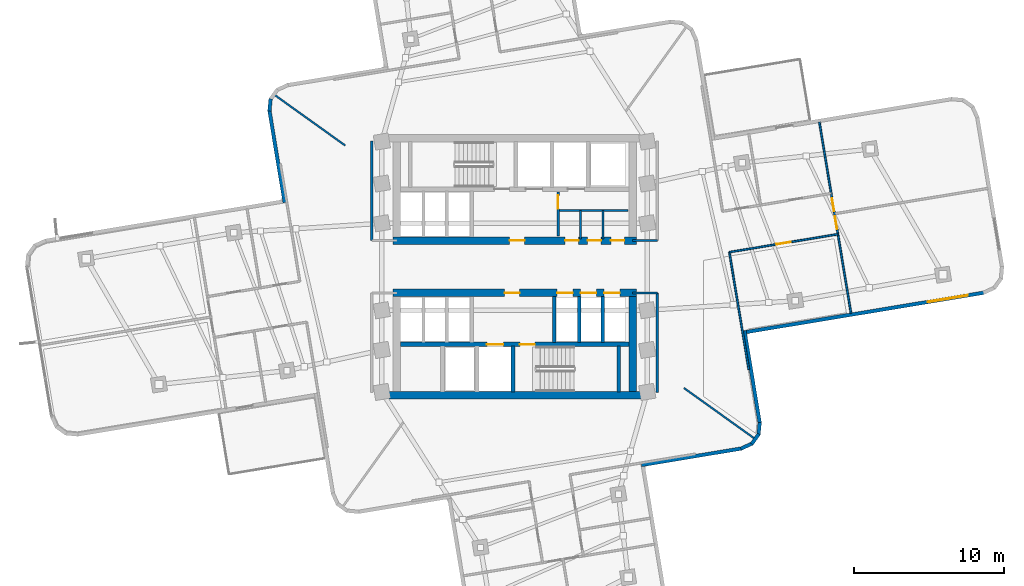
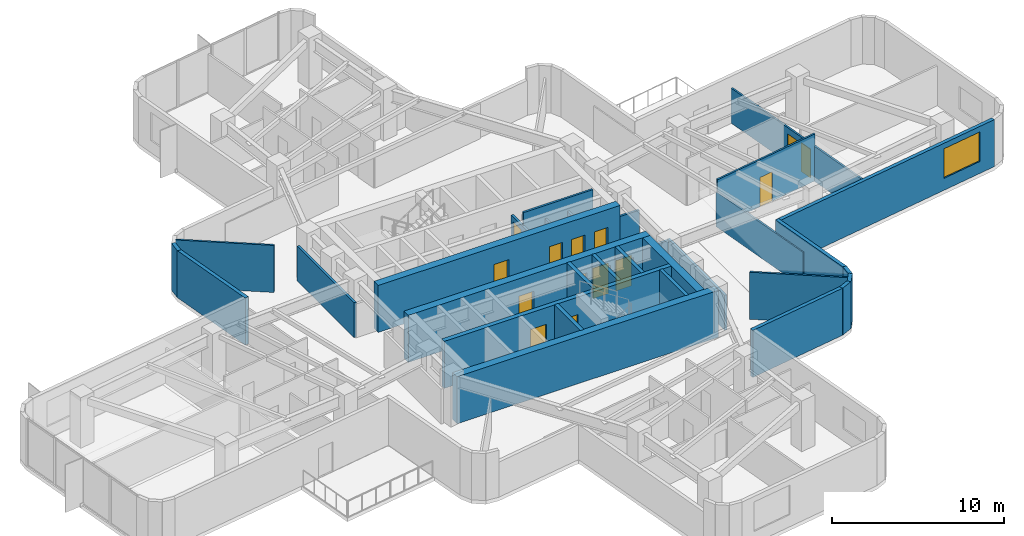
# One storey, part 8 of 13: 31 walls, 14 doors, 1 window, 15 openings.
"""IFC4 building model written with IfcOpenShell, lengths in metres."""

from ifc_helpers import new_model, si_unit, direction, frame, frame_2d, origin, place, context, subcontext, project, spatial, rectangle, extrude, material, layer, layer_set, type_object, element, fill, save


model = new_model("IFC4")

# Units and contexts
model_context = context("Model", 3, precision=1e-05, world=origin(), true_north=direction((0.0, 1.0)))
body_context = subcontext(model_context, "Body", "Model", "MODEL_VIEW")
ifc_project = project(units=[si_unit("LENGTHUNIT", "METRE"), si_unit("AREAUNIT", "SQUARE_METRE"), si_unit("VOLUMEUNIT", "CUBIC_METRE"), si_unit("PLANEANGLEUNIT", "RADIAN"), si_unit("MASSUNIT", "GRAM", prefix="KILO")], contexts=[model_context])

# Site, building, storey
site_placement = place(None, origin())
site = spatial("IfcSite", under=ifc_project, at=site_placement, CompositionType="ELEMENT")
building_placement = place(site_placement, origin())
building = spatial("IfcBuilding", under=site, at=building_placement, Name="Solmarez Civic Tower", CompositionType="ELEMENT")
storey_placement = place(building_placement, frame((0.0, 0.0, 96.47998046875)))
storey = spatial("IfcBuildingStorey", under=building, at=storey_placement, Name="L25", CompositionType="ELEMENT", Elevation=96.47998046875)

# Wall, openings, doors
ifc_material_1 = material(Name="Concrete C60/75", Category="concrete")
ifc_layer_1 = layer(ifc_material_1, 0.5)
ifc_layer_set_1 = layer_set([ifc_layer_1], Name="Concrete C60/75")
wall_type_1 = type_object("IfcWallType", Name="WALL-CORE-500", PredefinedType="SHEAR", material=ifc_layer_set_1)
wall_1_placement = place(storey_placement, frame((8.1201171875, 1.75, 0.0), z_axis=(0.0, 0.0, 1.0), x_axis=(-1.0, 0.0, 0.0)))
wall_1 = element("IfcWall", 1, at=wall_1_placement, inside=storey, type_object=wall_type_1, Name="L25 Split-Core Structural Wall NCW-S-L25", PredefinedType="SHEAR", context=body_context, shape_type="SweptSolid", body=[
    extrude(rectangle(XDim=16.240234375, YDim=0.5, at=frame_2d((8.1201171875, 0.0))), origin(), (0.0, 0.0, 1.0), 3.340087890625),
])
opening_1_placement = place(wall_1_placement, frame((7.449951171875, 0.0, 0.0)))
opening_1 = element("IfcOpeningElement", 2, at=opening_1_placement, cuts=wall_1, Name="Opening D-04", PredefinedType="OPENING", context=body_context, shape_type="SweptSolid", body=[
    extrude(rectangle(XDim=1.0, YDim=2.10009765625, at=frame_2d((0.5, 1.050048828125))), frame((0.0, 0.260009765625, 0.0), z_axis=(0.0, -1.0, 0.0), x_axis=(1.0, 0.0, 0.0)), (0.0, 0.0, 1.0), 0.52001953125),
])
opening_2_placement = place(wall_1_placement, frame((3.85009765625, 0.0, 0.0)))
opening_2 = element("IfcOpeningElement", 3, at=opening_2_placement, cuts=wall_1, Name="Opening D-09", PredefinedType="OPENING", context=body_context, shape_type="SweptSolid", body=[
    extrude(rectangle(XDim=0.89990234375, YDim=2.06005859375, at=frame_2d((0.449951171875, 1.030029296875))), frame((0.0, 0.260009765625, 0.0), z_axis=(0.0, -1.0, 0.0), x_axis=(1.0, 0.0, 0.0)), (0.0, 0.0, 1.0), 0.52001953125),
])
opening_3_placement = place(wall_1_placement, frame((2.35009765625, 0.0, 0.0)))
opening_3 = element("IfcOpeningElement", 4, at=opening_3_placement, cuts=wall_1, Name="Opening D-09", PredefinedType="OPENING", context=body_context, shape_type="SweptSolid", body=[
    extrude(rectangle(XDim=0.89990234375, YDim=2.06005859375, at=frame_2d((0.449951171875, 1.030029296875))), frame((0.0, 0.260009765625, 0.0), z_axis=(0.0, -1.0, 0.0), x_axis=(1.0, 0.0, 0.0)), (0.0, 0.0, 1.0), 0.52001953125),
])
opening_4_placement = place(wall_1_placement, frame((0.800048828125, 0.0, 0.0)))
opening_4 = element("IfcOpeningElement", 5, at=opening_4_placement, cuts=wall_1, Name="Opening D-09", PredefinedType="OPENING", context=body_context, shape_type="SweptSolid", body=[
    extrude(rectangle(XDim=0.89990234375, YDim=2.06005859375, at=frame_2d((0.449951171875, 1.030029296875))), frame((0.0, 0.260009765625, 0.0), z_axis=(0.0, -1.0, 0.0), x_axis=(1.0, 0.0, 0.0)), (0.0, 0.0, 1.0), 0.52001953125),
])
ifc_material_2 = material(Name="Steel-Faced Acoustic Fire Door", Category="steel")
door_type_1 = type_object("IfcDoorType", Name="DOOR-FD60-1000", OperationType="NOTDEFINED", PredefinedType="DOOR", material=ifc_material_2)
door_1_placement = place(opening_1_placement, origin())
door_1 = element("IfcDoor", 6, at=door_1_placement, inside=storey, type_object=door_type_1, Name="L25 North Firefighting Lobby Door", OperationType="SINGLE_SWING_RIGHT", OverallHeight=2.10009765625, OverallWidth=1.0, PredefinedType="DOOR", context=body_context, shape_type="SweptSolid", body=[
    extrude(rectangle(XDim=1.0, YDim=2.10009765625, at=frame_2d((0.5, 1.050048828125))), frame((0.0, 0.02490234375, 0.0), z_axis=(0.0, -1.0, 0.0), x_axis=(1.0, 0.0, 0.0)), (0.0, 0.0, 1.0), 0.050048828125),
])
fill(opening_1, door_1)
ifc_material_3 = material(Name="Fire-Rated Service Core Door", Category="wood")
door_type_2 = type_object("IfcDoorType", Name="DOOR-FD60-900", OperationType="NOTDEFINED", PredefinedType="DOOR", material=ifc_material_3)
door_2_placement = place(opening_2_placement, origin())
door_2 = element("IfcDoor", 7, at=door_2_placement, inside=storey, type_object=door_type_2, Name="L25 Core WC Door", OperationType="SINGLE_SWING_RIGHT", OverallHeight=2.06005859375, OverallWidth=0.89990234375, PredefinedType="DOOR", context=body_context, shape_type="SweptSolid", body=[
    extrude(rectangle(XDim=0.89990234375, YDim=2.06005859375, at=frame_2d((0.449951171875, 1.030029296875))), frame((0.0, 0.02490234375, 0.0), z_axis=(0.0, -1.0, 0.0), x_axis=(1.0, 0.0, 0.0)), (0.0, 0.0, 1.0), 0.050048828125),
])
fill(opening_2, door_2)
door_3_placement = place(opening_3_placement, origin())
door_3 = element("IfcDoor", 8, at=door_3_placement, inside=storey, type_object=door_type_2, Name="L25 Core CL Door", OperationType="SINGLE_SWING_LEFT", OverallHeight=2.06005859375, OverallWidth=0.89990234375, PredefinedType="DOOR", context=body_context, shape_type="SweptSolid", body=[
    extrude(rectangle(XDim=0.89990234375, YDim=2.06005859375, at=frame_2d((0.449951171875, 1.030029296875))), frame((0.0, 0.02490234375, 0.0), z_axis=(0.0, -1.0, 0.0), x_axis=(1.0, 0.0, 0.0)), (0.0, 0.0, 1.0), 0.050048828125),
])
fill(opening_3, door_3)
door_4_placement = place(opening_4_placement, origin())
door_4 = element("IfcDoor", 9, at=door_4_placement, inside=storey, type_object=door_type_2, Name="L25 Core IT Door", OperationType="SINGLE_SWING_LEFT", OverallHeight=2.06005859375, OverallWidth=0.89990234375, PredefinedType="DOOR", context=body_context, shape_type="SweptSolid", body=[
    extrude(rectangle(XDim=0.89990234375, YDim=2.06005859375, at=frame_2d((0.449951171875, 1.030029296875))), frame((0.0, 0.02490234375, 0.0), z_axis=(0.0, -1.0, 0.0), x_axis=(1.0, 0.0, 0.0)), (0.0, 0.0, 1.0), 0.050048828125),
])
fill(opening_4, door_4)

# Wall
wall_2_placement = place(storey_placement, frame((8.780029296875, -8.56005859375, 0.0), z_axis=(0.0, 0.0, 1.0), x_axis=(-1.0, 0.0, 0.0)))
element("IfcWall", 10, at=wall_2_placement, inside=storey, type_object=wall_type_1, Name="L25 Split-Core Structural Wall SCW-S-L25", PredefinedType="SHEAR", context=body_context, shape_type="SweptSolid", body=[
    extrude(rectangle(XDim=17.56005859375, YDim=0.5, at=frame_2d((8.780029296875, 0.0))), origin(), (0.0, 0.0, 1.0), 3.340087890625),
])

# Wall, openings, doors
wall_3_placement = place(storey_placement, frame((-8.1201171875, -1.75, 0.0), z_axis=(0.0, 0.0, 1.0), x_axis=(1.0, 0.0, 0.0)))
wall_3 = element("IfcWall", 11, at=wall_3_placement, inside=storey, type_object=wall_type_1, Name="L25 Split-Core Structural Wall SCW-N-L25", PredefinedType="SHEAR", context=body_context, shape_type="SweptSolid", body=[
    extrude(rectangle(XDim=16.240234375, YDim=0.5, at=frame_2d((8.1201171875, 0.0))), origin(), (0.0, 0.0, 1.0), 3.340087890625),
])
opening_5_placement = place(wall_3_placement, frame((7.449951171875, 0.0, 0.0)))
opening_5 = element("IfcOpeningElement", 12, at=opening_5_placement, cuts=wall_3, Name="Opening D-04", PredefinedType="OPENING", context=body_context, shape_type="SweptSolid", body=[
    extrude(rectangle(XDim=1.0, YDim=2.10009765625, at=frame_2d((0.5, 1.050048828125))), frame((0.0, 0.260009765625, 0.0), z_axis=(0.0, -1.0, 0.0), x_axis=(1.0, 0.0, 0.0)), (0.0, 0.0, 1.0), 0.52001953125),
])
opening_6_placement = place(wall_3_placement, frame((10.965087890625, 0.0, 0.0)))
opening_6 = element("IfcOpeningElement", 13, at=opening_6_placement, cuts=wall_3, Name="Opening LD-01", PredefinedType="OPENING", context=body_context, shape_type="SweptSolid", body=[
    extrude(rectangle(XDim=1.050048828125, YDim=2.14990234375, at=frame_2d((0.52490234375, 1.074951171875))), frame((0.0, 0.260009765625, 0.0), z_axis=(0.0, -1.0, 0.0), x_axis=(1.0, 0.0, 0.0)), (0.0, 0.0, 1.0), 0.52001953125),
])
opening_7_placement = place(wall_3_placement, frame((12.52490234375, 0.0, 0.0)))
opening_7 = element("IfcOpeningElement", 14, at=opening_7_placement, cuts=wall_3, Name="Opening LD-01", PredefinedType="OPENING", context=body_context, shape_type="SweptSolid", body=[
    extrude(rectangle(XDim=1.050048828125, YDim=2.14990234375, at=frame_2d((0.52490234375, 1.074951171875))), frame((0.0, 0.260009765625, 0.0), z_axis=(0.0, -1.0, 0.0), x_axis=(1.0, 0.0, 0.0)), (0.0, 0.0, 1.0), 0.52001953125),
])
opening_8_placement = place(wall_3_placement, frame((14.0849609375, 0.0, 0.0)))
opening_8 = element("IfcOpeningElement", 15, at=opening_8_placement, cuts=wall_3, Name="Opening LD-01", PredefinedType="OPENING", context=body_context, shape_type="SweptSolid", body=[
    extrude(rectangle(XDim=1.050048828125, YDim=2.14990234375, at=frame_2d((0.52490234375, 1.074951171875))), frame((0.0, 0.260009765625, 0.0), z_axis=(0.0, -1.0, 0.0), x_axis=(1.0, 0.0, 0.0)), (0.0, 0.0, 1.0), 0.52001953125),
])
door_5_placement = place(opening_5_placement, origin())
door_5 = element("IfcDoor", 16, at=door_5_placement, inside=storey, type_object=door_type_1, Name="L25 South Firefighting Lobby Door", OperationType="SINGLE_SWING_LEFT", OverallHeight=2.10009765625, OverallWidth=1.0, PredefinedType="DOOR", context=body_context, shape_type="SweptSolid", body=[
    extrude(rectangle(XDim=1.0, YDim=2.10009765625, at=frame_2d((0.5, 1.050048828125))), frame((0.0, 0.02490234375, 0.0), z_axis=(0.0, -1.0, 0.0), x_axis=(1.0, 0.0, 0.0)), (0.0, 0.0, 1.0), 0.050048828125),
])
fill(opening_5, door_5)
ifc_material_4 = material(Name="Bronze Passenger Lift Landing Sliding Door", Category="aluminium")
door_type_3 = type_object("IfcDoorType", Name="DOOR-LD-PAX-1050", OperationType="DOUBLE_DOOR_SLIDING", PredefinedType="DOOR", material=ifc_material_4)
door_6_placement = place(opening_6_placement, origin())
door_6 = element("IfcDoor", 17, at=door_6_placement, inside=storey, type_object=door_type_3, Name="L25 Low-Rise Lift Landing Door PL-L1", OperationType="DOUBLE_DOOR_SLIDING", OverallHeight=2.14990234375, OverallWidth=1.050048828125, PredefinedType="DOOR", context=body_context, shape_type="SweptSolid", body=[
    extrude(rectangle(XDim=1.050048828125, YDim=2.14990234375, at=frame_2d((0.52490234375, 1.074951171875))), frame((0.0, 0.02490234375, 0.0), z_axis=(0.0, -1.0, 0.0), x_axis=(1.0, 0.0, 0.0)), (0.0, 0.0, 1.0), 0.050048828125),
])
fill(opening_6, door_6)
door_7_placement = place(opening_7_placement, origin())
door_7 = element("IfcDoor", 18, at=door_7_placement, inside=storey, type_object=door_type_3, Name="L25 Low-Rise Lift Landing Door PL-L2", OperationType="DOUBLE_DOOR_SLIDING", OverallHeight=2.14990234375, OverallWidth=1.050048828125, PredefinedType="DOOR", context=body_context, shape_type="SweptSolid", body=[
    extrude(rectangle(XDim=1.050048828125, YDim=2.14990234375, at=frame_2d((0.52490234375, 1.074951171875))), frame((0.0, 0.02490234375, 0.0), z_axis=(0.0, -1.0, 0.0), x_axis=(1.0, 0.0, 0.0)), (0.0, 0.0, 1.0), 0.050048828125),
])
fill(opening_7, door_7)
door_8_placement = place(opening_8_placement, origin())
door_8 = element("IfcDoor", 19, at=door_8_placement, inside=storey, type_object=door_type_3, Name="L25 Low-Rise Lift Landing Door PL-L3", OperationType="DOUBLE_DOOR_SLIDING", OverallHeight=2.14990234375, OverallWidth=1.050048828125, PredefinedType="DOOR", context=body_context, shape_type="SweptSolid", body=[
    extrude(rectangle(XDim=1.050048828125, YDim=2.14990234375, at=frame_2d((0.52490234375, 1.074951171875))), frame((0.0, 0.02490234375, 0.0), z_axis=(0.0, -1.0, 0.0), x_axis=(1.0, 0.0, 0.0)), (0.0, 0.0, 1.0), 0.050048828125),
])
fill(opening_8, door_8)

# Walls
wall_4_placement = place(storey_placement, frame((7.8701171875, -2.0, 0.0), z_axis=(0.0, 0.0, 1.0), x_axis=(0.0, -1.0, 0.0)))
element("IfcWall", 20, at=wall_4_placement, inside=storey, type_object=wall_type_1, Name="L25 Split-Core Structural Wall SCW-E-L25", PredefinedType="SHEAR", context=body_context, shape_type="SweptSolid", body=[
    extrude(rectangle(XDim=6.31005859375, YDim=0.5, at=frame_2d((3.155029296875, 0.0))), origin(), (0.0, 0.0, 1.0), 3.340087890625),
])
ifc_material_5 = material(Name="Precast concrete C40/50", Category="concrete")
ifc_layer_2 = layer(ifc_material_5, 0.239990234375)
ifc_layer_set_2 = layer_set([ifc_layer_2], Name="Precast concrete C40/50")
wall_type_2 = type_object("IfcWallType", Name="WALL-EXT-240", PredefinedType="SOLIDWALL", material=ifc_layer_set_2)
wall_5_placement = place(storey_placement, frame((-15.3349609375, 4.27587890625, 0.0), z_axis=(0.0, 0.0, 1.0), x_axis=(-0.16323720082, 0.986586851863, 0.0)))
element("IfcWall", 21, at=wall_5_placement, inside=storey, type_object=wall_type_2, Name="L25 Exterior Precast Wall 13", PredefinedType="SOLIDWALL", context=body_context, shape_type="SweptSolid", body=[
    extrude(rectangle(XDim=6.23681640625, YDim=0.239990234375, at=frame_2d((3.118408203125, 0.0))), origin(), (0.0, 0.0, 1.0), 3.340087890625),
])
wall_6_placement = place(storey_placement, frame((-16.35107421875, 10.37890625, 0.0), z_axis=(0.0, 0.0, 1.0), x_axis=(0.096474594184, 0.995335447313, 0.0)))
element("IfcWall", 22, at=wall_6_placement, inside=storey, type_object=wall_type_2, Name="L25 Exterior Precast Wall 14", PredefinedType="SOLIDWALL", context=body_context, shape_type="SweptSolid", body=[
    extrude(rectangle(XDim=0.830078125, YDim=0.239990234375, at=frame_2d((0.4150390625, 0.0))), origin(), (0.0, 0.0, 1.0), 3.340087890625),
])

# Wall, opening, window
wall_7_placement = place(storey_placement, frame((31.31201171875, -1.72900390625, 0.0), z_axis=(0.0, 0.0, 1.0), x_axis=(-0.986572947557, -0.163321214629, 0.0)))
wall_7 = element("IfcWall", 23, at=wall_7_placement, inside=storey, type_object=wall_type_2, Name="L25 Exterior Precast Wall 46", PredefinedType="SOLIDWALL", context=body_context, shape_type="SweptSolid", body=[
    extrude(rectangle(XDim=16.2744140625, YDim=0.239990234375, at=frame_2d((8.13720703125, 0.0))), origin(), (0.0, 0.0, 1.0), 3.340087890625),
])
opening_9_placement = place(wall_7_placement, frame((1.10009765625, 0.0, 0.85009765625)))
opening_9 = element("IfcOpeningElement", 24, at=opening_9_placement, cuts=wall_7, Name="Opening W-01", PredefinedType="OPENING", context=body_context, shape_type="SweptSolid", body=[
    extrude(rectangle(XDim=2.699951171875, YDim=2.10009765625, at=frame_2d((1.35009765625, 1.050048828125))), frame((0.0, 0.1298828125, 0.0), z_axis=(0.0, -1.0, 0.0), x_axis=(1.0, 0.0, 0.0)), (0.0, 0.0, 1.0), 0.260009765625),
])
ifc_material_6 = material(Name="Solar Control Bronze-Tinted Insulating Glass", Category="glass")
window_type = type_object("IfcWindowType", Name="WIN-2700X2100", PartitioningType="SINGLE_PANEL", PredefinedType="WINDOW", material=ifc_material_6)
window_placement = place(opening_9_placement, origin())
window = element("IfcWindow", 25, at=window_placement, inside=storey, type_object=window_type, Name="L25 Exterior Facade Window 46", OverallHeight=2.10009765625, OverallWidth=2.699951171875, PartitioningType="SINGLE_PANEL", PredefinedType="WINDOW", context=body_context, shape_type="SweptSolid", body=[
    extrude(rectangle(XDim=2.699951171875, YDim=2.10009765625, at=frame_2d((1.35009765625, 1.050048828125))), frame((0.0, 0.030029296875, 0.0), z_axis=(0.0, -1.0, 0.0), x_axis=(1.0, 0.0, 0.0)), (0.0, 0.0, 1.0), 0.06005859375),
])
fill(opening_9, window)

# Walls
wall_8_placement = place(storey_placement, frame((15.3349609375, -4.27587890625, 0.0), z_axis=(0.0, 0.0, 1.0), x_axis=(0.16323720082, -0.986586851863, 0.0)))
element("IfcWall", 26, at=wall_8_placement, inside=storey, type_object=wall_type_2, Name="L25 Exterior Precast Wall 49", PredefinedType="SOLIDWALL", context=body_context, shape_type="SweptSolid", body=[
    extrude(rectangle(XDim=6.23681640625, YDim=0.239990234375, at=frame_2d((3.118408203125, 0.0))), origin(), (0.0, 0.0, 1.0), 3.340087890625),
])
wall_9_placement = place(storey_placement, frame((16.35107421875, -10.37890625, 0.0), z_axis=(0.0, 0.0, 1.0), x_axis=(-0.096474594184, -0.995335447313, 0.0)))
element("IfcWall", 27, at=wall_9_placement, inside=storey, type_object=wall_type_2, Name="L25 Exterior Precast Wall 50", PredefinedType="SOLIDWALL", context=body_context, shape_type="SweptSolid", body=[
    extrude(rectangle(XDim=0.830078125, YDim=0.239990234375, at=frame_2d((0.4150390625, 0.0))), origin(), (0.0, 0.0, 1.0), 3.340087890625),
])
wall_10_placement = place(storey_placement, frame((16.2880859375, -11.159912109375, 0.0), z_axis=(0.0, 0.0, 1.0), x_axis=(-0.583561896965, -0.812068662375, 0.0)))
element("IfcWall", 28, at=wall_10_placement, inside=storey, type_object=wall_type_2, Name="L25 Exterior Precast Wall 51", PredefinedType="SOLIDWALL", context=body_context, shape_type="SweptSolid", body=[
    extrude(rectangle(XDim=0.814208984375, YDim=0.239990234375, at=frame_2d((0.4072265625, 0.0))), origin(), (0.0, 0.0, 1.0), 3.340087890625),
])
wall_11_placement = place(storey_placement, frame((15.85107421875, -11.791015625, 0.0), z_axis=(0.0, 0.0, 1.0), x_axis=(-0.910868773958, -0.412696106872, 0.0)))
element("IfcWall", 29, at=wall_11_placement, inside=storey, type_object=wall_type_2, Name="L25 Exterior Precast Wall 52", PredefinedType="SOLIDWALL", context=body_context, shape_type="SweptSolid", body=[
    extrude(rectangle(XDim=0.8310546875, YDim=0.239990234375, at=frame_2d((0.41552734375, 0.0))), origin(), (0.0, 0.0, 1.0), 3.340087890625),
])
wall_12_placement = place(storey_placement, frame((15.14208984375, -12.1201171875, 0.0), z_axis=(0.0, 0.0, 1.0), x_axis=(-0.986586085056, -0.163241835244, 0.0)))
element("IfcWall", 30, at=wall_12_placement, inside=storey, type_object=wall_type_2, Name="L25 Exterior Precast Wall 53", PredefinedType="SOLIDWALL", context=body_context, shape_type="SweptSolid", body=[
    extrude(rectangle(XDim=6.77490234375, YDim=0.239990234375, at=frame_2d((3.387451171875, 0.0))), origin(), (0.0, 0.0, 1.0), 3.340087890625),
])
ifc_material_7 = material(Name="Gypsum Board Acoustic Steel-Stud Partition", Category="steel")
ifc_layer_3 = layer(ifc_material_7, 0.14990234375)
ifc_layer_set_3 = layer_set([ifc_layer_3], Name="Gypsum Board Acoustic Steel-Stud Partition")
wall_type_3 = type_object("IfcWallType", Name="WALL-INT-FIRE-150", PredefinedType="PARTITIONING", material=ifc_layer_set_3)
wall_13_placement = place(storey_placement, frame((-9.52001953125, 1.75, 0.0), z_axis=(0.0, 0.0, 1.0), x_axis=(0.0, 1.0, 0.0)))
element("IfcWall", 31, at=wall_13_placement, inside=storey, type_object=wall_type_3, Name="L25 Interior Partition CHW-L25-WN1", PredefinedType="PARTITIONING", context=body_context, shape_type="SweptSolid", body=[
    extrude(rectangle(XDim=6.6298828125, YDim=0.14990234375, at=frame_2d((3.31494140625, 0.0))), origin(), (0.0, 0.0, 1.0), 2.486083984375),
])
wall_14_placement = place(storey_placement, frame((7.85009765625, 1.75, 0.0), z_axis=(0.0, 0.0, 1.0), x_axis=(1.0, 0.0, 0.0)))
element("IfcWall", 32, at=wall_14_placement, inside=storey, type_object=wall_type_3, Name="L25 Interior Partition CHW-L25-EN3", PredefinedType="PARTITIONING", context=body_context, shape_type="SweptSolid", body=[
    extrude(rectangle(XDim=1.669921875, YDim=0.14990234375, at=frame_2d((0.8349609375, 0.0))), origin(), (0.0, 0.0, 1.0), 2.405029296875),
])
wall_15_placement = place(storey_placement, frame((9.52001953125, -8.3798828125, 0.0), z_axis=(0.0, 0.0, 1.0), x_axis=(0.0, 1.0, 0.0)))
element("IfcWall", 33, at=wall_15_placement, inside=storey, type_object=wall_type_3, Name="L25 Interior Partition CHW-L25-ES1", PredefinedType="PARTITIONING", context=body_context, shape_type="SweptSolid", body=[
    extrude(rectangle(XDim=6.6298828125, YDim=0.14990234375, at=frame_2d((3.31494140625, 0.0))), origin(), (0.0, 0.0, 1.0), 2.486083984375),
])
wall_16_placement = place(storey_placement, frame((7.85009765625, -1.75, 0.0), z_axis=(0.0, 0.0, 1.0), x_axis=(1.0, 0.0, 0.0)))
element("IfcWall", 34, at=wall_16_placement, inside=storey, type_object=wall_type_3, Name="L25 Interior Partition CHW-L25-ES3", PredefinedType="PARTITIONING", context=body_context, shape_type="SweptSolid", body=[
    extrude(rectangle(XDim=1.669921875, YDim=0.14990234375, at=frame_2d((0.8349609375, 0.0))), origin(), (0.0, 0.0, 1.0), 2.405029296875),
])
ifc_layer_4 = layer(ifc_material_7, 0.1201171875)
ifc_layer_set_4 = layer_set([ifc_layer_4], Name="Gypsum Board Acoustic Steel-Stud Partition")
wall_type_4 = type_object("IfcWallType", Name="WALL-INT-PART-120", PredefinedType="PARTITIONING", material=ifc_layer_set_4)
for number, where, z_axis, x_axis, name in (
    (35, (-11.300048828125, 8.090087890625, 0.0), (0.0, 0.0, 1.0), (-0.813131268368, 0.582080355623, 0.0), "L25 Interior Partition PT-L25-QDIV-2"),
    (36, (11.300048828125, -8.090087890625, 0.0), (0.0, 0.0, 1.0), (0.813131268368, -0.582080355623, 0.0), "L25 Interior Partition PT-L25-QDIV-4"),
):
    element("IfcWall", number, at=place(storey_placement, frame(where, z_axis=z_axis, x_axis=x_axis)), inside=storey, type_object=wall_type_4, Name=name, PredefinedType="PARTITIONING", context=body_context, shape_type="SweptSolid", body=[
        extrude(rectangle(XDim=5.756591796875, YDim=0.1201171875, at=frame_2d((2.87841796875, 0.0))), origin(), (0.0, 0.0, 1.0), 3.340087890625),
    ])
wall_17_placement = place(storey_placement, frame((15.6201171875, -6.860107421875, 0.0), z_axis=(0.0, 0.0, 1.0), x_axis=(-0.16330811288, 0.986575116384, 0.0)))
element("IfcWall", 37, at=wall_17_placement, inside=storey, type_object=wall_type_4, Name="L25 Interior Partition PT-L25-E-EFR", PredefinedType="PARTITIONING", context=body_context, shape_type="SweptSolid", body=[
    extrude(rectangle(XDim=7.94873046875, YDim=0.1201171875, at=frame_2d((3.974365234375, 0.0))), origin(), (0.0, 0.0, 1.0), 2.486083984375),
])

# Wall, opening, door
wall_18_placement = place(storey_placement, frame((14.323974609375, 0.971923828125, 0.0), z_axis=(0.0, 0.0, 1.0), x_axis=(0.986566884893, 0.163357833093, 0.0)))
wall_18 = element("IfcWall", 38, at=wall_18_placement, inside=storey, type_object=wall_type_4, Name="L25 Interior Partition PT-L25-E-SR", PredefinedType="PARTITIONING", context=body_context, shape_type="SweptSolid", body=[
    extrude(rectangle(XDim=7.339599609375, YDim=0.1201171875, at=frame_2d((3.669921875, 0.0))), origin(), (0.0, 0.0, 1.0), 3.340087890625),
])
opening_10_placement = place(wall_18_placement, frame((3.18994140625, 0.0, 0.0)))
opening_10 = element("IfcOpeningElement", 39, at=opening_10_placement, cuts=wall_18, Name="Opening D-10", PredefinedType="OPENING", context=body_context, shape_type="SweptSolid", body=[
    extrude(rectangle(XDim=0.949951171875, YDim=2.080078125, at=frame_2d((0.47509765625, 1.0400390625))), frame((0.0, 0.070068359375, 0.0), z_axis=(0.0, -1.0, 0.0), x_axis=(1.0, 0.0, 0.0)), (0.0, 0.0, 1.0), 0.14013671875),
])
ifc_material_8 = material(Name="Solid-Core Timber Ministry Office Door", Category="wood")
door_type_4 = type_object("IfcDoorType", Name="DOOR-INT-950", OperationType="NOTDEFINED", PredefinedType="DOOR", material=ifc_material_8)
door_9_placement = place(opening_10_placement, origin())
door_9 = element("IfcDoor", 40, at=door_9_placement, inside=storey, type_object=door_type_4, Name="L25 Press Study Room Third East Door", OperationType="SINGLE_SWING_RIGHT", OverallHeight=2.080078125, OverallWidth=0.949951171875, PredefinedType="DOOR", context=body_context, shape_type="SweptSolid", body=[
    extrude(rectangle(XDim=0.949951171875, YDim=2.080078125, at=frame_2d((0.47509765625, 1.0400390625))), frame((0.0, 0.02490234375, 0.0), z_axis=(0.0, -1.0, 0.0), x_axis=(1.0, 0.0, 0.0)), (0.0, 0.0, 1.0), 0.050048828125),
])
fill(opening_10, door_9)

# Wall, openings, doors
wall_19_placement = place(storey_placement, frame((20.327880859375, 9.64501953125, 0.0), z_axis=(0.0, 0.0, 1.0), x_axis=(0.163336472865, -0.986570421527, 0.0)))
wall_19 = element("IfcWall", 41, at=wall_19_placement, inside=storey, type_object=wall_type_4, Name="L25 Interior Partition PT-L25-E-END", PredefinedType="PARTITIONING", context=body_context, shape_type="SweptSolid", body=[
    extrude(rectangle(XDim=12.9306640625, YDim=0.1201171875, at=frame_2d((6.46533203125, 0.0))), origin(), (0.0, 0.0, 1.0), 2.486083984375),
])
opening_11_placement = place(wall_19_placement, frame((6.364990234375, 0.0, 0.0)))
opening_11 = element("IfcOpeningElement", 42, at=opening_11_placement, cuts=wall_19, Name="Opening D-14", PredefinedType="OPENING", context=body_context, shape_type="SweptSolid", body=[
    extrude(rectangle(XDim=0.860107421875, YDim=2.0400390625, at=frame_2d((0.43017578125, 1.02001953125))), frame((0.0, 0.070068359375, 0.0), z_axis=(0.0, -1.0, 0.0), x_axis=(1.0, 0.0, 0.0)), (0.0, 0.0, 1.0), 0.14013671875),
])
opening_12_placement = place(wall_19_placement, frame((5.1650390625, 0.0, 0.0)))
opening_12 = element("IfcOpeningElement", 43, at=opening_12_placement, cuts=wall_19, Name="Opening D-14", PredefinedType="OPENING", context=body_context, shape_type="SweptSolid", body=[
    extrude(rectangle(XDim=0.860107421875, YDim=2.0400390625, at=frame_2d((0.43017578125, 1.02001953125))), frame((0.0, 0.070068359375, 0.0), z_axis=(0.0, -1.0, 0.0), x_axis=(1.0, 0.0, 0.0)), (0.0, 0.0, 1.0), 0.14013671875),
])
ifc_material_9 = material(Name="Timber Storage and Pantry Door", Category="wood")
door_type_5 = type_object("IfcDoorType", Name="DOOR-INT-850", OperationType="NOTDEFINED", PredefinedType="DOOR", material=ifc_material_9)
door_10_placement = place(opening_11_placement, origin())
door_10 = element("IfcDoor", 44, at=door_10_placement, inside=storey, type_object=door_type_5, Name="L25 Catering Pantry Sixth East Door", OperationType="SINGLE_SWING_RIGHT", OverallHeight=2.0400390625, OverallWidth=0.860107421875, PredefinedType="DOOR", context=body_context, shape_type="SweptSolid", body=[
    extrude(rectangle(XDim=0.860107421875, YDim=2.0400390625, at=frame_2d((0.43017578125, 1.02001953125))), frame((0.0, 0.02490234375, 0.0), z_axis=(0.0, -1.0, 0.0), x_axis=(1.0, 0.0, 0.0)), (0.0, 0.0, 1.0), 0.050048828125),
])
fill(opening_11, door_10)
door_11_placement = place(opening_12_placement, origin())
door_11 = element("IfcDoor", 45, at=door_11_placement, inside=storey, type_object=door_type_5, Name="L25 Press Study Room Fifth East Door", OperationType="SINGLE_SWING_LEFT", OverallHeight=2.0400390625, OverallWidth=0.860107421875, PredefinedType="DOOR", context=body_context, shape_type="SweptSolid", body=[
    extrude(rectangle(XDim=0.860107421875, YDim=2.0400390625, at=frame_2d((0.43017578125, 1.02001953125))), frame((0.0, 0.02490234375, 0.0), z_axis=(0.0, -1.0, 0.0), x_axis=(1.0, 0.0, 0.0)), (0.0, 0.0, 1.0), 0.050048828125),
])
fill(opening_12, door_11)

# Wall, opening, door
ifc_layer_5 = layer(ifc_material_7, 0.159912109375)
ifc_layer_set_5 = layer_set([ifc_layer_5], Name="Gypsum Board Acoustic Steel-Stud Partition")
wall_type_5 = type_object("IfcWallType", Name="WALL-INT-SHAFT-160", PredefinedType="PARTITIONING", material=ifc_layer_set_5)
wall_20_placement = place(storey_placement, frame((2.89990234375, 2.0400390625, 0.0), z_axis=(0.0, 0.0, 1.0), x_axis=(0.0, 1.0, 0.0)))
wall_20 = element("IfcWall", 46, at=wall_20_placement, inside=storey, type_object=wall_type_5, Name="L25 Interior Partition SHW-NL2-L25", PredefinedType="PARTITIONING", context=body_context, shape_type="SweptSolid", body=[
    extrude(rectangle(XDim=2.93994140625, YDim=0.159912109375, at=frame_2d((1.469970703125, 0.0))), origin(), (0.0, 0.0, 1.0), 2.405029296875),
])
opening_13_placement = place(wall_20_placement, frame((1.820068359375, 0.0, 0.0)))
opening_13 = element("IfcOpeningElement", 47, at=opening_13_placement, cuts=wall_20, Name="Opening D-09", PredefinedType="OPENING", context=body_context, shape_type="SweptSolid", body=[
    extrude(rectangle(XDim=0.89990234375, YDim=2.06005859375, at=frame_2d((0.449951171875, 1.030029296875))), frame((0.0, 0.08984375, 0.0), z_axis=(0.0, -1.0, 0.0), x_axis=(1.0, 0.0, 0.0)), (0.0, 0.0, 1.0), 0.179931640625),
])
door_12_placement = place(opening_13_placement, origin())
door_12 = element("IfcDoor", 48, at=door_12_placement, inside=storey, type_object=door_type_2, Name="L25 Service Lift Lobby Door", OperationType="SINGLE_SWING_LEFT", OverallHeight=2.06005859375, OverallWidth=0.89990234375, PredefinedType="DOOR", context=body_context, shape_type="SweptSolid", body=[
    extrude(rectangle(XDim=0.89990234375, YDim=2.06005859375, at=frame_2d((0.449951171875, 1.030029296875))), frame((0.0, 0.02490234375, 0.0), z_axis=(0.0, -1.0, 0.0), x_axis=(1.0, 0.0, 0.0)), (0.0, 0.0, 1.0), 0.050048828125),
])
fill(opening_13, door_12)

# Walls
ifc_layer_6 = layer(ifc_material_7, 0.137939453125)
ifc_layer_set_6 = layer_set([ifc_layer_6], Name="Gypsum Board Acoustic Steel-Stud Partition")
wall_type_6 = type_object("IfcWallType", Name="WALL-INT-WET-140", PredefinedType="PARTITIONING", material=ifc_layer_set_6)
wall_21_placement = place(storey_placement, frame((2.89990234375, 3.739990234375, 0.0), z_axis=(0.0, 0.0, 1.0), x_axis=(1.0, 0.0, 0.0)))
element("IfcWall", 49, at=wall_21_placement, inside=storey, type_object=wall_type_6, Name="L25 Interior Partition SHW-SVH-L25", PredefinedType="PARTITIONING", context=body_context, shape_type="SweptSolid", body=[
    extrude(rectangle(XDim=4.650146484375, YDim=0.137939453125, at=frame_2d((2.3251953125, 0.0))), origin(), (0.0, 0.0, 1.0), 3.340087890625),
])
for number, where, z_axis, x_axis, name in (
    (50, (4.39990234375, 1.85009765625, 0.0), (0.0, 0.0, 1.0), (0.0, 1.0, 0.0), "L25 Interior Partition PT-NCSV1-L25"),
    (51, (5.89990234375, 1.85009765625, 0.0), (0.0, 0.0, 1.0), (0.0, 1.0, 0.0), "L25 Interior Partition PT-NCSV2-L25"),
):
    element("IfcWall", number, at=place(storey_placement, frame(where, z_axis=z_axis, x_axis=x_axis)), inside=storey, type_object=wall_type_6, Name=name, PredefinedType="PARTITIONING", context=body_context, shape_type="SweptSolid", body=[
        extrude(rectangle(XDim=1.889892578125, YDim=0.137939453125, at=frame_2d((0.94482421875, 0.0))), origin(), (0.0, 0.0, 1.0), 2.405029296875),
    ])

# Wall, openings, doors
ifc_material_10 = material(Name="Concrete C50/60", Category="concrete")
ifc_layer_7 = layer(ifc_material_10, 0.300048828125)
ifc_layer_set_7 = layer_set([ifc_layer_7], Name="Concrete C50/60")
wall_type_7 = type_object("IfcWallType", Name="WALL-STR-300", PredefinedType="SOLIDWALL", material=ifc_layer_set_7)
wall_22_placement = place(storey_placement, frame((-7.6201171875, -5.179931640625, 0.0), z_axis=(0.0, 0.0, 1.0), x_axis=(1.0, 0.0, 0.0)))
wall_22 = element("IfcWall", 52, at=wall_22_placement, inside=storey, type_object=wall_type_7, Name="L25 Split-Core Structural Wall SCW-M-L25", PredefinedType="SOLIDWALL", context=body_context, shape_type="SweptSolid", body=[
    extrude(rectangle(XDim=15.240234375, YDim=0.300048828125, at=frame_2d((7.6201171875, 0.0))), origin(), (0.0, 0.0, 1.0), 3.340087890625),
])
opening_14_placement = place(wall_22_placement, frame((5.77001953125, 0.0, 0.0)))
opening_14 = element("IfcOpeningElement", 53, at=opening_14_placement, cuts=wall_22, Name="Opening LD-02", PredefinedType="OPENING", context=body_context, shape_type="SweptSolid", body=[
    extrude(rectangle(XDim=1.10009765625, YDim=2.14990234375, at=frame_2d((0.550048828125, 1.074951171875))), frame((0.0, 0.159912109375, 0.0), z_axis=(0.0, -1.0, 0.0), x_axis=(1.0, 0.0, 0.0)), (0.0, 0.0, 1.0), 0.320068359375),
])
opening_15_placement = place(wall_22_placement, frame((7.969970703125, 0.0, 0.0)))
opening_15 = element("IfcOpeningElement", 54, at=opening_15_placement, cuts=wall_22, Name="Opening D-05", PredefinedType="OPENING", context=body_context, shape_type="SweptSolid", body=[
    extrude(rectangle(XDim=1.0, YDim=2.10009765625, at=frame_2d((0.5, 1.050048828125))), frame((0.0, 0.159912109375, 0.0), z_axis=(0.0, -1.0, 0.0), x_axis=(1.0, 0.0, 0.0)), (0.0, 0.0, 1.0), 0.320068359375),
])
ifc_material_11 = material(Name="Fire-Rated Stairwell Exit Door", Category="wood")
door_type_6 = type_object("IfcDoorType", Name="DOOR-FD90-1000", OperationType="NOTDEFINED", PredefinedType="DOOR", material=ifc_material_11)
door_13_placement = place(opening_15_placement, origin())
door_13 = element("IfcDoor", 55, at=door_13_placement, inside=storey, type_object=door_type_6, Name="L25 South Exit Stair Door ST-2", OperationType="SINGLE_SWING_LEFT", OverallHeight=2.10009765625, OverallWidth=1.0, PredefinedType="DOOR", context=body_context, shape_type="SweptSolid", body=[
    extrude(rectangle(XDim=1.0, YDim=2.10009765625, at=frame_2d((0.5, 1.050048828125))), frame((0.0, 0.02490234375, 0.0), z_axis=(0.0, -1.0, 0.0), x_axis=(1.0, 0.0, 0.0)), (0.0, 0.0, 1.0), 0.050048828125),
])
fill(opening_15, door_13)
ifc_material_12 = material(Name="Stainless Firefighting Lift Landing Sliding Door", Category="aluminium")
door_type_7 = type_object("IfcDoorType", Name="DOOR-LD-FF-1100", OperationType="DOUBLE_DOOR_SLIDING", PredefinedType="DOOR", material=ifc_material_12)
door_14_placement = place(opening_14_placement, origin())
door_14 = element("IfcDoor", 56, at=door_14_placement, inside=storey, type_object=door_type_7, Name="L25 Firefighting Lift Landing Door FFL-2", OperationType="DOUBLE_DOOR_SLIDING", OverallHeight=2.14990234375, OverallWidth=1.10009765625, PredefinedType="DOOR", context=body_context, shape_type="SweptSolid", body=[
    extrude(rectangle(XDim=1.10009765625, YDim=2.14990234375, at=frame_2d((0.550048828125, 1.074951171875))), frame((0.0, 0.02490234375, 0.0), z_axis=(0.0, -1.0, 0.0), x_axis=(1.0, 0.0, 0.0)), (0.0, 0.0, 1.0), 0.050048828125),
])
fill(opening_14, door_14)

# Walls
wall_23_placement = place(storey_placement, frame((6.949951171875, -8.340087890625, 0.0), z_axis=(0.0, 0.0, 1.0), x_axis=(0.0, 1.0, 0.0)))
element("IfcWall", 57, at=wall_23_placement, inside=storey, type_object=wall_type_7, Name="L25 Split-Core Structural Wall SHW-SE-L25", PredefinedType="SOLIDWALL", context=body_context, shape_type="SweptSolid", body=[
    extrude(rectangle(XDim=3.06005859375, YDim=0.219970703125, at=frame_2d((1.530029296875, 0.0))), origin(), (0.0, 0.0, 1.0), 3.340087890625),
])
wall_24_placement = place(storey_placement, frame((-0.10009765625, -8.340087890625, 0.0), z_axis=(0.0, 0.0, 1.0), x_axis=(0.0, 1.0, 0.0)))
element("IfcWall", 58, at=wall_24_placement, inside=storey, type_object=wall_type_7, Name="L25 Split-Core Structural Wall SHW-S1-L25", PredefinedType="SOLIDWALL", context=body_context, shape_type="SweptSolid", body=[
    extrude(rectangle(XDim=3.0400390625, YDim=0.25, at=frame_2d((1.52001953125, 0.0))), origin(), (0.0, 0.0, 1.0), 3.340087890625),
])
wall_25_placement = place(storey_placement, frame((2.64990234375, -5.050048828125, 0.0), z_axis=(0.0, 0.0, 1.0), x_axis=(0.0, 1.0, 0.0)))
element("IfcWall", 59, at=wall_25_placement, inside=storey, type_object=wall_type_7, Name="L25 Split-Core Structural Wall SHW-SL2-L25", PredefinedType="SOLIDWALL", context=body_context, shape_type="SweptSolid", body=[
    extrude(rectangle(XDim=3.070068359375, YDim=0.25, at=frame_2d((1.53515625, 0.0))), origin(), (0.0, 0.0, 1.0), 3.340087890625),
])
for number, where, z_axis, x_axis, name in (
    (60, (4.320068359375, -5.050048828125, 0.0), (0.0, 0.0, 1.0), (0.0, 1.0, 0.0), "L25 Split-Core Structural Wall SHW-PLL-L25-1"),
    (61, (5.8798828125, -5.050048828125, 0.0), (0.0, 0.0, 1.0), (0.0, 1.0, 0.0), "L25 Split-Core Structural Wall SHW-PLL-L25-2"),
):
    element("IfcWall", number, at=place(storey_placement, frame(where, z_axis=z_axis, x_axis=x_axis)), inside=storey, type_object=wall_type_7, Name=name, PredefinedType="SOLIDWALL", context=body_context, shape_type="SweptSolid", body=[
        extrude(rectangle(XDim=3.070068359375, YDim=0.219970703125, at=frame_2d((1.53515625, 0.0))), origin(), (0.0, 0.0, 1.0), 3.340087890625),
    ])

save(model, "model.ifc")
